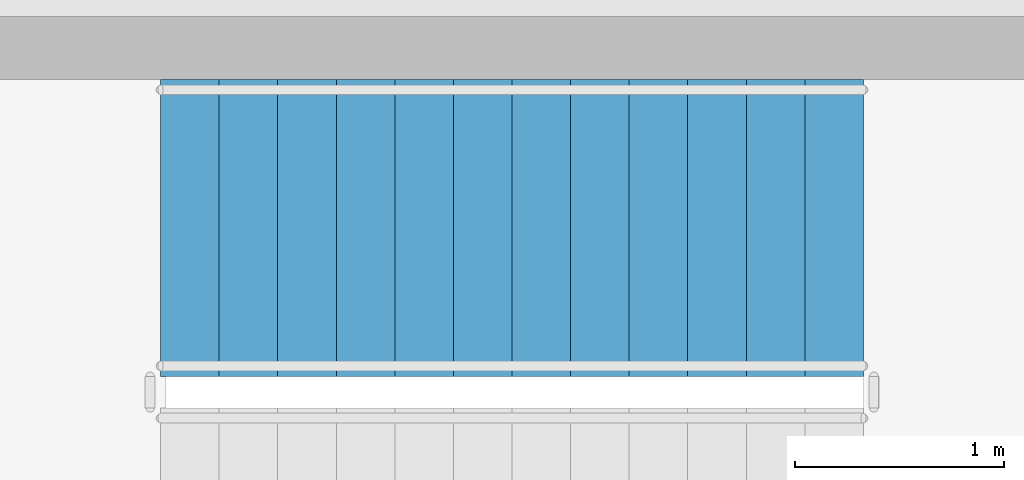
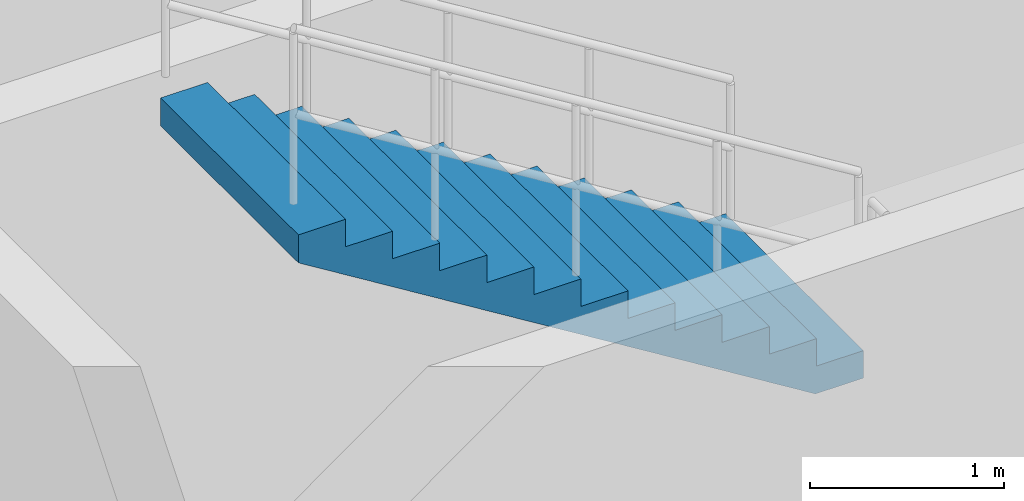
# One storey, part 12 of 22: 1 stair flight, 1 element without a shape of its own.
"""IFC4 building model written with IfcOpenShell, lengths in metres."""

import ifcopenshell
import ifcopenshell.guid

model = None  # the IFC model being written
_history = None  # IfcOwnerHistory: only IFC2X3 demands one
_inside = {}  # id of a spatial element -> (the spatial element, [elements in it])
_under = {}  # id of a project, library or spatial element -> (it, [spatial elements below it])
_declared = {}  # id of a project -> (the project, [libraries it declares])
_typed = {}  # id of a type object -> (the type object, [elements of that type])
_made_of = {}  # id of a material, layer set ... -> (it, [elements and type objects made of it])


def new_model(schema):
    """Start an empty IFC model of exactly this schema.

    Asked for "IFC4X3", IfcOpenShell would pick the latest addendum, in which some entities
    have other attributes; the version numbers below select the first issue.
    IFC2X3 requires an IfcOwnerHistory on every rooted entity: one is made here for all.
    """
    global model, _history
    if schema == "IFC4X3":
        model = ifcopenshell.file(schema_version=(4, 3, 0, 0))
    else:
        model = ifcopenshell.file(schema=schema)
    _inside.clear()
    _under.clear()
    _declared.clear()
    _typed.clear()
    _made_of.clear()
    _history = None
    if model.schema == "IFC2X3":
        org = make("IfcOrganization", Name="unknown")
        user = make(
            "IfcPersonAndOrganization",
            ThePerson=make("IfcPerson", FamilyName="unknown"),
            TheOrganization=org,
        )
        app = make(
            "IfcApplication",
            ApplicationDeveloper=org,
            Version="unknown",
            ApplicationFullName="unknown",
            ApplicationIdentifier="unknown",
        )
        _history = make(
            "IfcOwnerHistory",
            OwningUser=user,
            OwningApplication=app,
            ChangeAction="ADDED",
            CreationDate=0,
        )
    return model


def make(cls, **values):
    """One entity of the class cls with the attributes given. An attribute that is None is left unset."""
    return model.create_entity(
        cls, **{name: value for name, value in values.items() if value is not None}
    )


def rooted(cls, **values):
    """An entity with a GlobalId (a new one), such as an element, a storey or a relation."""
    return make(cls, GlobalId=ifcopenshell.guid.new(), OwnerHistory=_history, **values)


def si_unit(unit_type, name, prefix=None):
    """IfcSIUnit, for example si_unit("LENGTHUNIT", "METRE", prefix="MILLI")."""
    return make("IfcSIUnit", UnitType=unit_type, Prefix=prefix, Name=name)


def assignment(units):
    """IfcUnitAssignment: the units of a project."""
    return None if units is None else make("IfcUnitAssignment", Units=units)


def point(xyz):
    """IfcCartesianPoint."""
    return None if xyz is None else make("IfcCartesianPoint", Coordinates=xyz)


def direction(xyz):
    """IfcDirection."""
    return None if xyz is None else make("IfcDirection", DirectionRatios=xyz)


def frame(location, z_axis=None, x_axis=None):
    """IfcAxis2Placement3D, a coordinate frame: its origin and axes. An axis left out is left unset."""
    return make(
        "IfcAxis2Placement3D",
        Location=point(location),
        Axis=direction(z_axis),
        RefDirection=direction(x_axis),
    )


def origin():
    """The frame at (0, 0, 0) with its axes left unset."""
    return frame((0.0, 0.0, 0.0))


def place(relative_to, where):
    """IfcLocalPlacement: puts the frame where relative to a parent placement (None: the world)."""
    return make(
        "IfcLocalPlacement", PlacementRelTo=relative_to, RelativePlacement=where
    )


def context(
    kind, dimensions, precision=None, world=None, true_north=None, identifier=None
):
    """IfcGeometricRepresentationContext, for example the 3D "Model" context."""
    return make(
        "IfcGeometricRepresentationContext",
        ContextIdentifier=identifier,
        ContextType=kind,
        CoordinateSpaceDimension=dimensions,
        Precision=precision,
        WorldCoordinateSystem=world,
        TrueNorth=true_north,
    )


def subcontext(parent, identifier, kind, view, scale=None):
    """IfcGeometricRepresentationSubContext, for example "Body" below "Model"."""
    return make(
        "IfcGeometricRepresentationSubContext",
        ContextIdentifier=identifier,
        ContextType=kind,
        ParentContext=parent,
        TargetScale=scale,
        TargetView=view,
    )


def project(units=None, contexts=None):
    """IfcProject with its units and contexts."""
    return rooted(
        "IfcProject",
        Name="project",
        RepresentationContexts=contexts,
        UnitsInContext=assignment(units),
    )


def spatial(cls, under=None, at=None, **own):
    """A site, building, storey or space (cls), placed at a placement, below another one or the project."""
    s = rooted(cls, ObjectPlacement=at, **own)
    if under is not None:
        _under.setdefault(under.id(), (under, []))[1].append(s)
    return s


def polyline(points):
    """IfcPolyline through the points."""
    return make("IfcPolyline", Points=[point(p) for p in points])


def outline(outer, holes=None, kind="AREA"):
    """IfcArbitraryClosedProfileDef: a profile drawn as a closed curve; with holes, ...WithVoids."""
    if holes is None:
        return make("IfcArbitraryClosedProfileDef", ProfileType=kind, OuterCurve=outer)
    return make(
        "IfcArbitraryProfileDefWithVoids",
        ProfileType=kind,
        OuterCurve=outer,
        InnerCurves=holes,
    )


def extrude(swept, where, along, depth):
    """IfcExtrudedAreaSolid: the profile swept, set in the frame where, extruded along a direction by depth."""
    return make(
        "IfcExtrudedAreaSolid",
        SweptArea=swept,
        Position=where,
        ExtrudedDirection=direction(along),
        Depth=depth,
    )


def shape(context_of_items, identifier, shape_type, items):
    """IfcShapeRepresentation: the items that make up one representation, for example the "Body"."""
    return make(
        "IfcShapeRepresentation",
        ContextOfItems=context_of_items,
        RepresentationIdentifier=identifier,
        RepresentationType=shape_type,
        Items=items,
    )


def material(Name=None, Category=None):
    """IfcMaterial."""
    return make("IfcMaterial", Name=Name, Category=Category)


def made_of(thing, what):
    """Note that an element or type object is made of a material, layer set ...; save() writes the relation."""
    if what is not None:
        _made_of.setdefault(what.id(), (what, []))[1].append(thing)
    return thing


def type_object(cls, material=None, **own):
    """A type object (cls), such as IfcWallType, which elements share."""
    return made_of(rooted(cls, **own), material)


def element(
    cls,
    number,
    at=None,
    inside=None,
    cuts=None,
    type_object=None,
    material=None,
    context=None,
    identifier="Body",
    shape_type=None,
    held_by="IfcProductDefinitionShape",
    body=None,
    shapes=None,
    **own,
):
    """One element of the class cls, such as IfcWall. Its Tag is "e" and its number.

    at: its placement. inside: the storey or other place that contains it. cuts: it is an
    opening in that element (IfcRelVoidsElement). A single representation is given by context,
    identifier, shape_type and body (its items); several are given by shapes. held_by: the class
    of the entity that holds the representations. save() writes the other relations.
    """
    e = rooted(cls, Tag="e%d" % number, ObjectPlacement=at, **own)
    if body is not None:
        shapes = [shape(context, identifier, shape_type, body)]
    if shapes is not None:
        e.Representation = make(held_by, Representations=shapes)
    if inside is not None:
        _inside.setdefault(inside.id(), (inside, []))[1].append(e)
    if cuts is not None:
        rooted(
            "IfcRelVoidsElement", RelatingBuildingElement=cuts, RelatedOpeningElement=e
        )
    if type_object is not None:
        _typed.setdefault(type_object.id(), (type_object, []))[1].append(e)
    return made_of(e, material)


def aggregate(whole, parts):
    """IfcRelAggregates: a whole, such as a stair, and the parts it consists of."""
    return rooted("IfcRelAggregates", RelatingObject=whole, RelatedObjects=parts)


def save(model, path):
    """Write the relations noted so far, then the file.

    IfcRelAggregates (storeys below a building ...), IfcRelContainedInSpatialStructure (elements
    in a storey), IfcRelDefinesByType, IfcRelAssociatesMaterial and IfcRelDeclares: one each for
    every whole, place, type object, material and project.
    """
    for whole, parts in _under.values():
        aggregate(whole, parts)
    for where, things in _inside.values():
        rooted(
            "IfcRelContainedInSpatialStructure",
            RelatedElements=things,
            RelatingStructure=where,
        )
    for kind, things in _typed.values():
        rooted("IfcRelDefinesByType", RelatedObjects=things, RelatingType=kind)
    for what, things in _made_of.values():
        rooted("IfcRelAssociatesMaterial", RelatedObjects=things, RelatingMaterial=what)
    for by, libraries in _declared.values():
        rooted("IfcRelDeclares", RelatingContext=by, RelatedDefinitions=libraries)
    model.write(path)


model = new_model("IFC4")

# Units and contexts
model_context = context("Model", 3, precision=1e-05, world=origin(), true_north=direction((0.0, 1.0)))
body_context = subcontext(model_context, "Body", "Model", "MODEL_VIEW")
ifc_project = project(units=[si_unit("LENGTHUNIT", "METRE"), si_unit("AREAUNIT", "SQUARE_METRE"), si_unit("VOLUMEUNIT", "CUBIC_METRE"), si_unit("PLANEANGLEUNIT", "RADIAN"), si_unit("MASSUNIT", "GRAM", prefix="KILO")], contexts=[model_context])

# Site, building, storey
site_placement = place(None, origin())
site = spatial("IfcSite", under=ifc_project, at=site_placement, CompositionType="ELEMENT")
building_placement = place(site_placement, origin())
building = spatial("IfcBuilding", under=site, at=building_placement, Name="Tarnavaz Court Tower", CompositionType="ELEMENT")
storey_placement = place(building_placement, frame((0.0, 0.0, 14.39990234375)))
storey = spatial("IfcBuildingStorey", under=building, at=storey_placement, Name="L03", CompositionType="ELEMENT", Elevation=14.39990234375)

# Stair, stair flight
ifc_material = material(Name="Concrete C40/50", Category="concrete")
stair_type = type_object("IfcStairType", Name="ST-TWR-26R", PredefinedType="HALF_TURN_STAIR", material=ifc_material)
stair_placement = place(storey_placement, origin())
stair = element("IfcStair", 1, at=stair_placement, inside=storey, type_object=stair_type, Name="L03 East Core Pressurized Exit Stair ST-E1", PredefinedType="HALF_TURN_STAIR")
stair_flight_type = type_object("IfcStairFlightType", Name="SFL-RC-26R", PredefinedType="STRAIGHT", material=ifc_material)
stair_flight_placement = place(storey_placement, frame((15.080078125, 8.929931640625, 2.25), z_axis=(0.0, 0.0, 1.0), x_axis=(-1.0, 0.0, 0.0)))
stair_flight = element("IfcStairFlight", 2, at=stair_flight_placement, type_object=stair_flight_type, Name="ST-E1 flight 2", NumberOfRisers=13, NumberOfTreads=12, PredefinedType="STRAIGHT", RiserHeight=0.173076923, TreadLength=0.28, context=body_context, shape_type="SweptSolid", body=[
    extrude(outline(polyline([(0.0, 0.0), (0.0, 0.173095703125), (0.280029296875, 0.173095703125), (0.280029296875, 0.34619140625), (0.56005859375, 0.34619140625), (0.56005859375, 0.519287109375), (0.840087890625, 0.519287109375), (0.840087890625, 0.6923828125), (1.1201171875, 0.6923828125), (1.1201171875, 0.865478515625), (1.39990234375, 0.865478515625), (1.39990234375, 1.03857421875), (1.679931640625, 1.03857421875), (1.679931640625, 1.21142578125), (1.9599609375, 1.21142578125), (1.9599609375, 1.384521484375), (2.239990234375, 1.384521484375), (2.239990234375, 1.5576171875), (2.52001953125, 1.5576171875), (2.52001953125, 1.730712890625), (2.800048828125, 1.730712890625), (2.800048828125, 1.90380859375), (3.080078125, 1.90380859375), (3.080078125, 2.076904296875), (3.360107421875, 2.076904296875), (3.360107421875, 2.25), (3.360107421875, 1.900634765625), (0.28515625, 0.0), (0.0, 0.0)])), frame((0.0, 0.7099609375, 0.0), z_axis=(0.0, -1.0, 0.0), x_axis=(1.0, 0.0, 0.0)), (0.0, 0.0, 1.0), 1.419921875),
])
aggregate(stair, [stair_flight])

save(model, "model.ifc")
